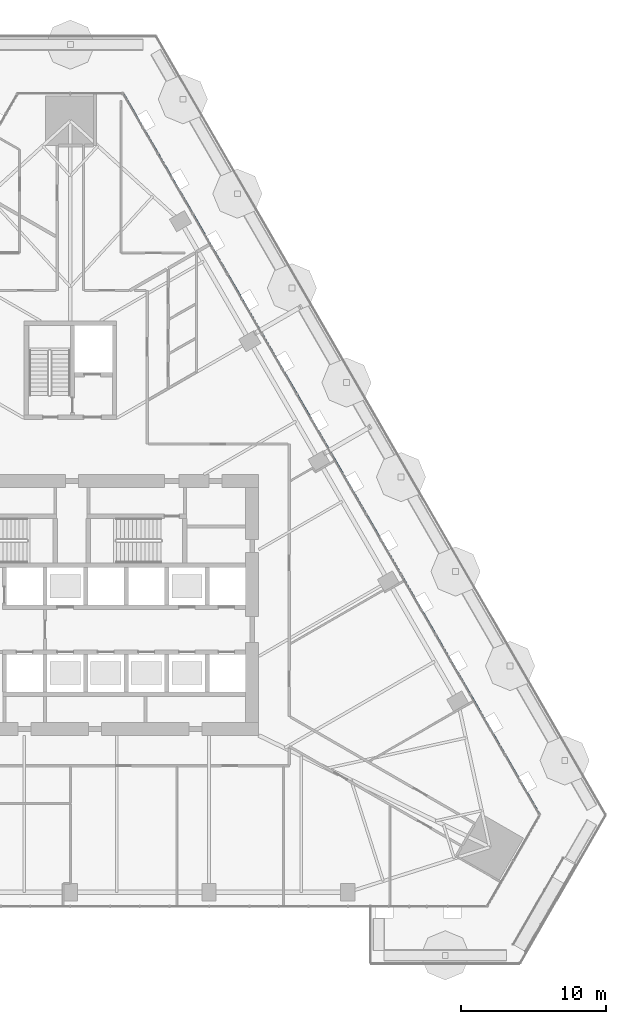
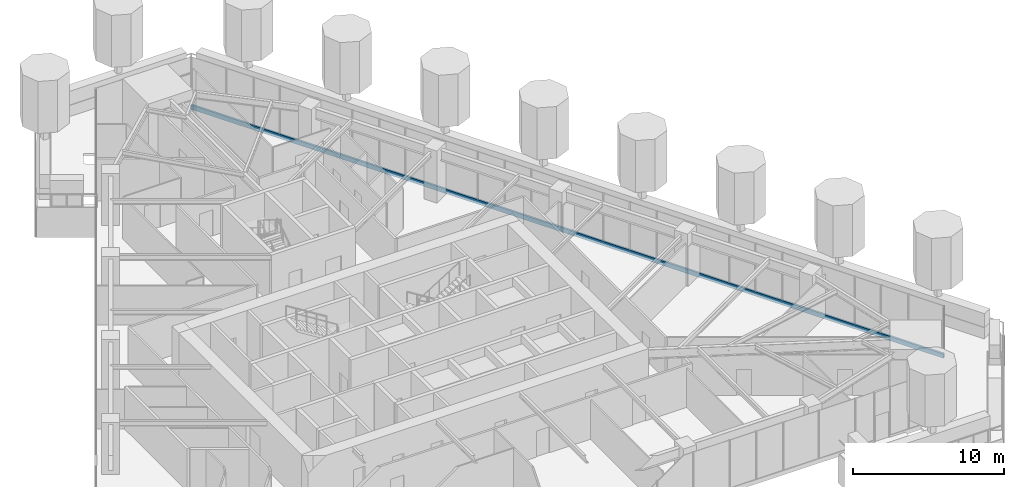
# One storey, part 11 of 26: 1 member, 1 element without a shape of its own.
"""IFC4 building model written with IfcOpenShell, lengths in metres."""

from ifc_helpers import new_model, si_unit, direction, frame, origin, origin_2d, place, context, subcontext, project, spatial, rectangle, extrude, material, layer, layer_set, material_profile, profile_set, type_object, element, aggregate, save


model = new_model("IFC4")

# Units and contexts
model_context = context("Model", 3, precision=1e-05, world=origin(), true_north=direction((0.0, 1.0)))
body_context = subcontext(model_context, "Body", "Model", "MODEL_VIEW")
ifc_project = project(units=[si_unit("LENGTHUNIT", "METRE"), si_unit("AREAUNIT", "SQUARE_METRE"), si_unit("VOLUMEUNIT", "CUBIC_METRE"), si_unit("PLANEANGLEUNIT", "RADIAN"), si_unit("MASSUNIT", "GRAM", prefix="KILO")], contexts=[model_context])

# Site, building, storey
site_placement = place(None, origin())
site = spatial("IfcSite", under=ifc_project, at=site_placement, CompositionType="ELEMENT")
building_placement = place(site_placement, origin())
building = spatial("IfcBuilding", under=site, at=building_placement, Name="Firuza Gate Tower and Library", CompositionType="ELEMENT")
storey_placement = place(building_placement, frame((0.0, 0.0, 52.60009765625)))
storey = spatial("IfcBuildingStorey", under=building, at=storey_placement, Name="L11", CompositionType="ELEMENT", Elevation=52.60009765625)

# Curtain wall, member
ifc_material_1 = material(Name="Aluminium 6063-T6", Category="aluminium")
ifc_layer = layer(ifc_material_1, 0.14990234375)
ifc_layer_set = layer_set([ifc_layer], Name="Unitised curtain wall, offices")
curtain_wall_type = type_object("IfcCurtainWallType", Name="Unitised curtain wall, offices", PredefinedType="NOTDEFINED", material=ifc_layer_set)
curtain_wall_placement = place(storey_placement, origin())
curtain_wall = element("IfcCurtainWall", 1, at=curtain_wall_placement, inside=storey, type_object=curtain_wall_type, Name="CW1 L11 E face", PredefinedType="NOTDEFINED")
ifc_material_2 = material(Name="Aluminium 6063-T6", Category="aluminium")
ifc_material_profile = material_profile(ifc_material_2, rectangle(XDim=0.14990234375, YDim=0.35009765625, at=origin_2d()))
ifc_profile_set = profile_set([ifc_material_profile], Name="Aluminium 6063-T6")
member_type = type_object("IfcMemberType", Name="Curtain wall transom 350x150", PredefinedType="USERDEFINED", material=ifc_profile_set)
member_placement = place(storey_placement, frame((107.38818359375, 60.507568359375, -0.025146484375), z_axis=(-0.499998032478, 0.866026539731, 0.0), x_axis=(-0.866026539731, -0.499998032478, 0.0)))
member = element("IfcMember", 2, at=member_placement, type_object=member_type, Name="Transom", ObjectType="TRANSOM", PredefinedType="USERDEFINED", context=body_context, shape_type="SweptSolid", body=[
    extrude(rectangle(XDim=0.14990234375, YDim=0.35009765625, at=origin_2d()), origin(), (0.0, 0.0, 1.0), 57.489990234375),
])
aggregate(curtain_wall, [member])

save(model, "model.ifc")
